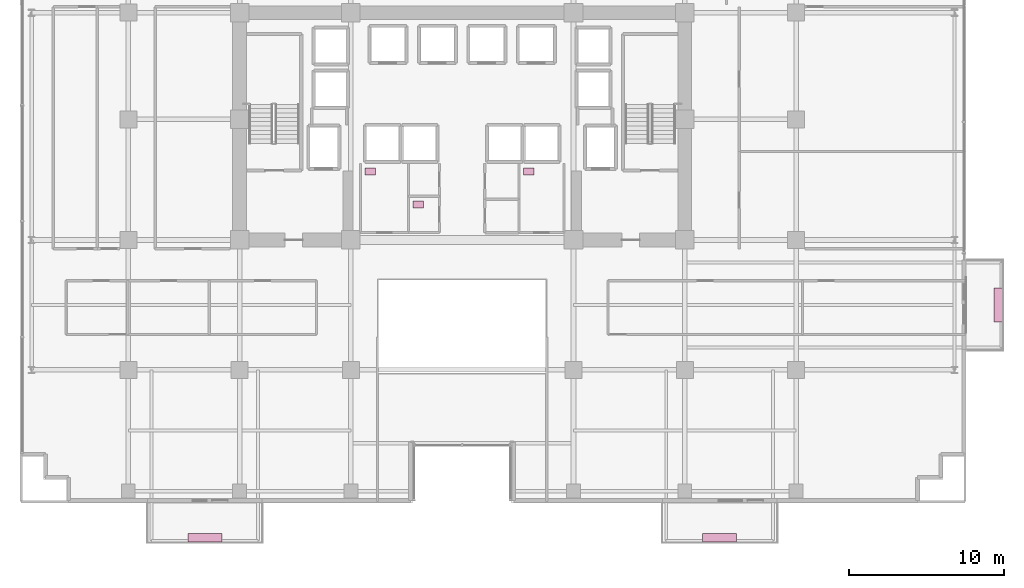
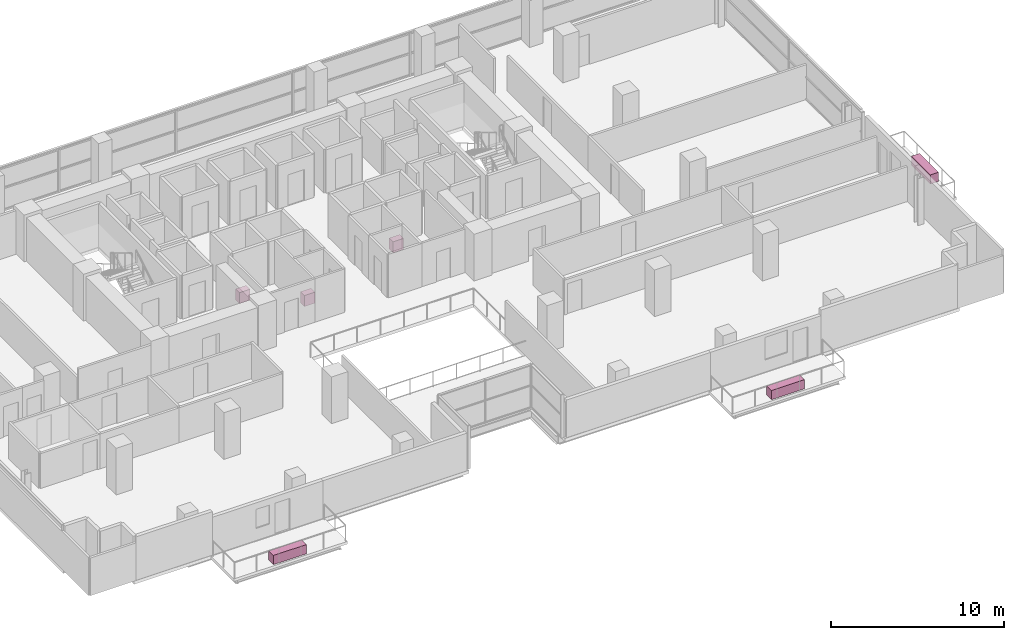
# One storey, part 26 of 26: 6 furnishings.
"""IFC4 building model written with IfcOpenShell, lengths in metres."""

from ifc_helpers import new_model, si_unit, direction, frame, origin, origin_2d, place, context, subcontext, project, spatial, rectangle, extrude, source, transform, mapped, material, type_object, element, save


model = new_model("IFC4")

# Units and contexts
model_context = context("Model", 3, precision=1e-05, world=origin(), true_north=direction((0.0, 1.0)))
body_context = subcontext(model_context, "Body", "Model", "MODEL_VIEW")
ifc_project = project(units=[si_unit("LENGTHUNIT", "METRE"), si_unit("AREAUNIT", "SQUARE_METRE"), si_unit("VOLUMEUNIT", "CUBIC_METRE"), si_unit("PLANEANGLEUNIT", "RADIAN"), si_unit("MASSUNIT", "GRAM", prefix="KILO")], contexts=[model_context])

# Site, building, storey
site_placement = place(None, origin())
site = spatial("IfcSite", under=ifc_project, at=site_placement, CompositionType="ELEMENT")
building_placement = place(site_placement, origin())
building = spatial("IfcBuilding", under=site, at=building_placement, Name="Zarnakvel Exchange Tower", CompositionType="ELEMENT")
storey_placement = place(building_placement, frame((0.0, 0.0, 70.300048828125)))
storey = spatial("IfcBuildingStorey", under=building, at=storey_placement, Name="L19", CompositionType="ELEMENT", Elevation=70.300048828125)

# Furnishings
ifc_material_1 = material(Name="Architectural Bronze Anodised Aluminium", Category="aluminium")
furnishing_element_type_1 = type_object("IfcFurnishingElementType", Name="PLNT-01", material=ifc_material_1)
shared_shape_1 = source(origin(), body_context, "Body", "SweptSolid", [
    extrude(rectangle(XDim=2.199951171875, YDim=0.550048828125, at=origin_2d()), origin(), (0.0, 0.0, 1.0), 0.64990234375),
])
for number, where, z_axis, x_axis, name in (
    (1, (-16.64990234375, -20.469970703125, -0.034912109375), (0.0, 0.0, 1.0), (1.0, 0.0, 0.0), "L19 Balcony Greenery Planter BAL-L19-SW"),
    (2, (16.64990234375, -20.469970703125, -0.034912109375), (0.0, 0.0, 1.0), (1.0, 0.0, 0.0), "L19 Balcony Greenery Planter BAL-L19-SE"),
    (3, (34.669921875, -5.39990234375, -0.034912109375), (0.0, 0.0, 1.0), (0.0, 1.0, 0.0), "L19 Balcony Greenery Planter BAL-L19-E"),
):
    element("IfcFurnishingElement", number, at=place(storey_placement, frame(where, z_axis=z_axis, x_axis=x_axis)), inside=storey, type_object=furnishing_element_type_1, Name=name, ObjectType="PLANTER", context=body_context, shape_type="MappedRepresentation", body=[
        mapped(shared_shape_1, transform((0.0, 0.0, 0.0), x_axis=(1.0, 0.0, 0.0), y_axis=(0.0, 1.0, 0.0), z_axis=(0.0, 0.0, 1.0), scale=1.0)),
    ])
ifc_material_2 = material(Name="Vitreous China Sanitaryware", Category="ceramic")
furnishing_element_type_2 = type_object("IfcFurnishingElementType", Name="SAN-WC", material=ifc_material_2)
shared_shape_2 = source(origin(), body_context, "Body", "SweptSolid", [
    extrude(rectangle(XDim=0.699951171875, YDim=0.449951171875, at=origin_2d()), origin(), (0.0, 0.0, 1.0), 0.780029296875),
])
for number, where, z_axis, x_axis, name in (
    (4, (-5.949951171875, 3.22998046875, 0.0), (0.0, 0.0, 1.0), (1.0, 0.0, 0.0), "L19 Sanitary Fixture (Male Toilet)"),
    (5, (-2.840087890625, 1.10009765625, 0.0), (0.0, 0.0, 1.0), (1.0, 0.0, 0.0), "L19 Sanitary Fixture (Accessible Toilet)"),
    (6, (4.31005859375, 3.22998046875, 0.0), (0.0, 0.0, 1.0), (1.0, 0.0, 0.0), "L19 Sanitary Fixture (Female Toilet)"),
):
    element("IfcFurnishingElement", number, at=place(storey_placement, frame(where, z_axis=z_axis, x_axis=x_axis)), inside=storey, type_object=furnishing_element_type_2, Name=name, ObjectType="SANITARY_FIXTURE", context=body_context, shape_type="MappedRepresentation", body=[
        mapped(shared_shape_2, transform((0.0, 0.0, 0.0), x_axis=(1.0, 0.0, 0.0), y_axis=(0.0, 1.0, 0.0), z_axis=(0.0, 0.0, 1.0), scale=1.0)),
    ])

save(model, "model.ifc")
